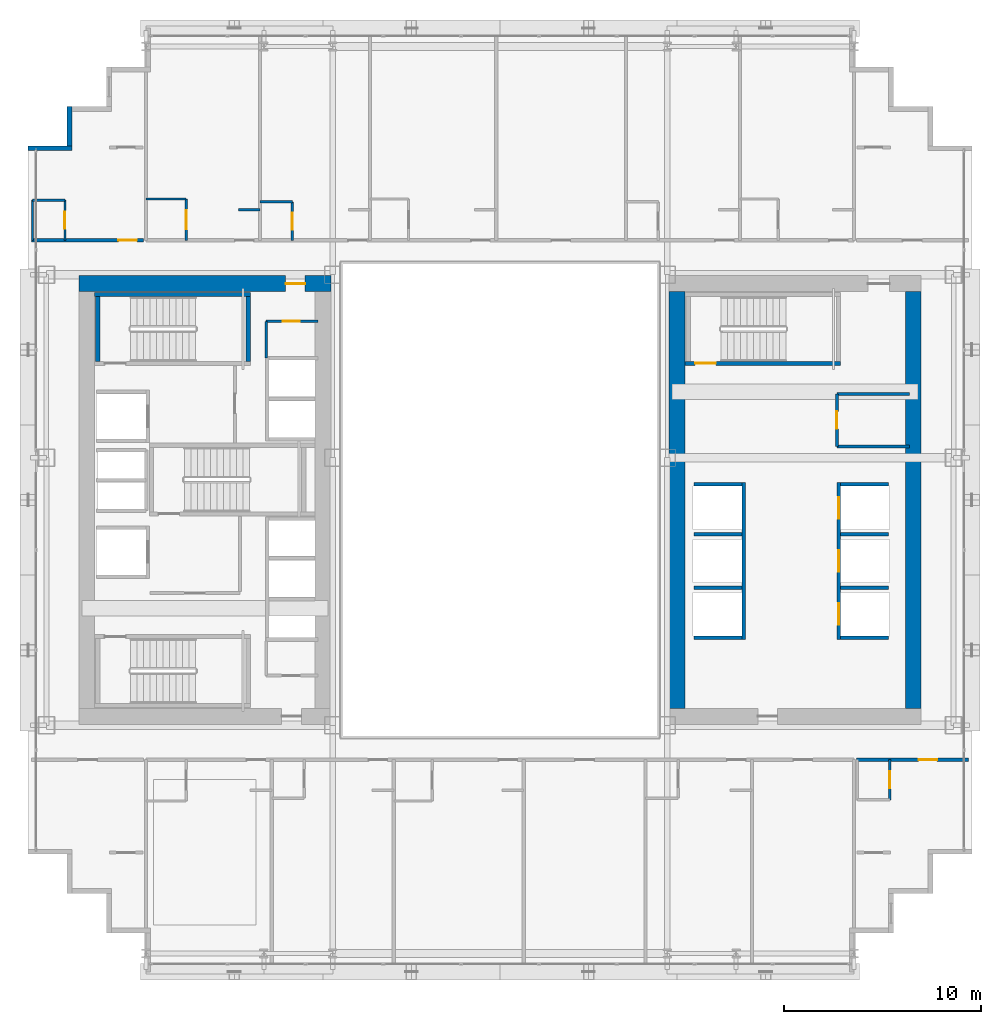
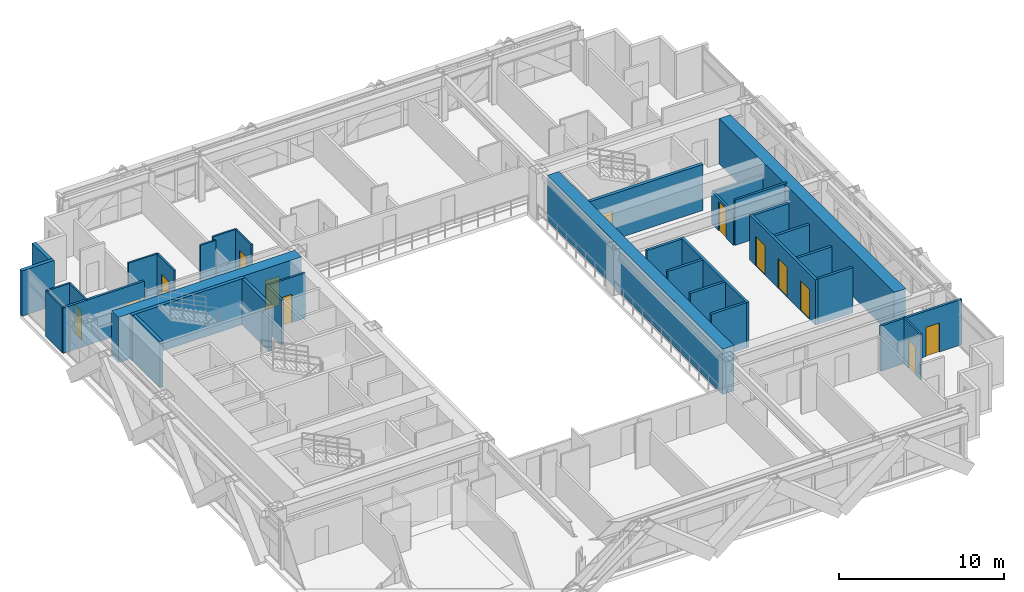
# One storey, part 29 of 35: 35 walls, 13 doors, 13 openings.
"""IFC4 building model written with IfcOpenShell, lengths in metres."""

from ifc_helpers import new_model, si_unit, direction, frame, frame_2d, origin, place, context, subcontext, project, spatial, rectangle, extrude, source, transform, mapped, material, layer, layer_set, type_object, element, fill, save


model = new_model("IFC4")

# Units and contexts
model_context = context("Model", 3, precision=1e-05, world=origin(), true_north=direction((0.0, 1.0)))
body_context = subcontext(model_context, "Body", "Model", "MODEL_VIEW")
ifc_project = project(units=[si_unit("LENGTHUNIT", "METRE"), si_unit("AREAUNIT", "SQUARE_METRE"), si_unit("VOLUMEUNIT", "CUBIC_METRE"), si_unit("PLANEANGLEUNIT", "RADIAN"), si_unit("MASSUNIT", "GRAM", prefix="KILO")], contexts=[model_context])

# Site, building, storey
site_placement = place(None, origin())
site = spatial("IfcSite", under=ifc_project, at=site_placement, CompositionType="ELEMENT")
building_placement = place(site_placement, origin())
building = spatial("IfcBuilding", under=site, at=building_placement, Name="Ocotamira Hotel", CompositionType="ELEMENT")
storey_placement = place(building_placement, frame((0.0, 0.0, 49.199951171875)))
storey = spatial("IfcBuildingStorey", under=building, at=storey_placement, Name="L11", CompositionType="ELEMENT", Elevation=49.199951171875)

# Wall, opening, door
ifc_material_1 = material(Name="Concrete C60/75", Category="concrete")
ifc_layer_1 = layer(ifc_material_1, 0.800048828125)
ifc_layer_set_1 = layer_set([ifc_layer_1], Name="Concrete C60/75")
wall_type_1 = type_object("IfcWallType", Name="WL-CORE-800", PredefinedType="SHEAR", material=ifc_layer_set_1)
wall_1_placement = place(storey_placement, frame((10.60009765625, 37.0, 0.0), z_axis=(0.0, 0.0, 1.0), x_axis=(1.0, 0.0, 0.0)))
wall_1 = element("IfcWall", 1, at=wall_1_placement, inside=storey, type_object=wall_type_1, Name="L11 Shear Core Wall WCORE-N", PredefinedType="SHEAR", context=body_context, shape_type="SweptSolid", body=[
    extrude(rectangle(XDim=12.7998046875, YDim=0.800048828125, at=frame_2d((6.39990234375, 0.0))), origin(), (0.0, 0.0, 1.0), 3.35009765625),
])
opening_1_placement = place(wall_1_placement, frame((10.5, 0.0, 0.0)))
opening_1 = element("IfcOpeningElement", 2, at=opening_1_placement, cuts=wall_1, Name="Opening D-FR2", PredefinedType="OPENING", context=body_context, shape_type="SweptSolid", body=[
    extrude(rectangle(XDim=1.0, YDim=2.14990234375, at=frame_2d((0.5, 1.074951171875))), frame((0.0, 0.41015625, 0.0), z_axis=(0.0, -1.0, 0.0), x_axis=(1.0, 0.0, 0.0)), (0.0, 0.0, 1.0), 0.820068359375),
])
ifc_material_2 = material(Name="Fire-rated acoustic timber-veneer door", Category="wood")
door_type_1 = type_object("IfcDoorType", Name="DR-FIRE-1000", OperationType="NOTDEFINED", PredefinedType="DOOR", material=ifc_material_2)
shared_shape_1 = source(origin(), body_context, "Body", "SweptSolid", [
    extrude(rectangle(XDim=1.0, YDim=2.14990234375, at=frame_2d((0.5, 1.074951171875))), frame((0.0, 0.02490234375, 0.0), z_axis=(0.0, -1.0, 0.0), x_axis=(1.0, 0.0, 0.0)), (0.0, 0.0, 1.0), 0.050048828125),
])
door_1_placement = place(opening_1_placement, origin())
door_1 = element("IfcDoor", 3, at=door_1_placement, inside=storey, type_object=door_type_1, Name="L11 Door ID-L11-WLOB-N-D [ID-L11-WLOB-N-D]", OperationType="SINGLE_SWING_RIGHT", OverallHeight=2.14990234375, OverallWidth=1.0, PredefinedType="DOOR", context=body_context, shape_type="MappedRepresentation", body=[
    mapped(shared_shape_1, transform((0.0, 0.0, 0.0), scale=1.0)),
])
fill(opening_1, door_1)

# Walls
for number, where, z_axis, x_axis, name in (
    (4, (41.0, 15.39990234375, 0.0), (0.0, 0.0, 1.0), (0.0, 1.0, 0.0), "L11 Shear Core Wall ECORE-W"),
    (5, (53.0, 15.39990234375, 0.0), (0.0, 0.0, 1.0), (0.0, 1.0, 0.0), "L11 Shear Core Wall ECORE-E"),
):
    element("IfcWall", number, at=place(storey_placement, frame(where, z_axis=z_axis, x_axis=x_axis)), inside=storey, type_object=wall_type_1, Name=name, PredefinedType="SHEAR", context=body_context, shape_type="SweptSolid", body=[
        extrude(rectangle(XDim=21.2001953125, YDim=0.800048828125, at=frame_2d((10.60009765625, 0.0))), origin(), (0.0, 0.0, 1.0), 3.35009765625),
    ])
ifc_material_3 = material(Name="Precast concrete C45/55", Category="concrete")
ifc_layer_2 = layer(ifc_material_3, 0.25)
ifc_layer_set_2 = layer_set([ifc_layer_2], Name="Precast concrete C45/55")
wall_type_2 = type_object("IfcWallType", Name="WL-EXT-SER-250", PredefinedType="SOLIDWALL", material=ifc_layer_set_2)
wall_2_placement = place(storey_placement, frame((10.125, 46.0, 0.0), z_axis=(0.0, 0.0, 1.0), x_axis=(0.0, -1.0, 0.0)))
element("IfcWall", 6, at=wall_2_placement, inside=storey, type_object=wall_type_2, Name="L11 Serrated Corner Wall 17", PredefinedType="SOLIDWALL", context=body_context, shape_type="SweptSolid", body=[
    extrude(rectangle(XDim=2.0, YDim=0.25, at=frame_2d((1.0, 0.0))), origin(), (0.0, 0.0, 1.0), 3.35009765625),
])
wall_3_placement = place(storey_placement, frame((10.25, 43.875, 0.0), z_axis=(0.0, 0.0, 1.0), x_axis=(-1.0, 0.0, 0.0)))
element("IfcWall", 7, at=wall_3_placement, inside=storey, type_object=wall_type_2, Name="L11 Serrated Corner Wall 18", PredefinedType="SOLIDWALL", context=body_context, shape_type="SweptSolid", body=[
    extrude(rectangle(XDim=2.25, YDim=0.25, at=frame_2d((1.125, 0.0))), origin(), (0.0, 0.0, 1.0), 3.35009765625),
])
ifc_material_4 = material(Name="Acoustic double-layer fire gypsum board partition", Category="gypsum")
ifc_layer_3 = layer(ifc_material_4, 0.159912109375)
ifc_layer_set_3 = layer_set([ifc_layer_3], Name="Acoustic double-layer fire gypsum board partition")
wall_type_3 = type_object("IfcWallType", Name="WL-FIRE-160", PredefinedType="PARTITIONING", material=ifc_layer_set_3)
wall_4_placement = place(storey_placement, frame((49.1201171875, 28.719970703125, 0.0), z_axis=(0.0, 0.0, 1.0), x_axis=(1.0, 0.0, 0.0)))
element("IfcWall", 8, at=wall_4_placement, inside=storey, type_object=wall_type_3, Name="L11 Interior Wall PW-L11-EC-NEC-S", PredefinedType="PARTITIONING", context=body_context, shape_type="SweptSolid", body=[
    extrude(rectangle(XDim=3.679931640625, YDim=0.159912109375, at=frame_2d((1.83984375, 0.0))), origin(), (0.0, 0.0, 1.0), 3.35009765625),
])
wall_5_placement = place(storey_placement, frame((49.1201171875, 31.3798828125, 0.0), z_axis=(0.0, 0.0, 1.0), x_axis=(1.0, 0.0, 0.0)))
element("IfcWall", 9, at=wall_5_placement, inside=storey, type_object=wall_type_3, Name="L11 Interior Wall PW-L11-EC-NEC-N", PredefinedType="PARTITIONING", context=body_context, shape_type="SweptSolid", body=[
    extrude(rectangle(XDim=3.679931640625, YDim=0.159912109375, at=frame_2d((1.83984375, 0.0))), origin(), (0.0, 0.0, 1.0), 2.360107421875),
])

# Wall, opening, door
wall_6_placement = place(storey_placement, frame((49.1201171875, 28.719970703125, 0.0), z_axis=(0.0, 0.0, 1.0), x_axis=(0.0, 1.0, 0.0)))
wall_6 = element("IfcWall", 10, at=wall_6_placement, inside=storey, type_object=wall_type_3, Name="L11 Interior Wall PW-L11-EC-NEC-W", PredefinedType="PARTITIONING", context=body_context, shape_type="SweptSolid", body=[
    extrude(rectangle(XDim=2.659912109375, YDim=0.159912109375, at=frame_2d((1.330078125, 0.0))), origin(), (0.0, 0.0, 1.0), 2.360107421875),
])
opening_2_placement = place(wall_6_placement, frame((0.89990234375, 0.0, 0.0)))
opening_2 = element("IfcOpeningElement", 11, at=opening_2_placement, cuts=wall_6, Name="Opening D-SV2", PredefinedType="OPENING", context=body_context, shape_type="SweptSolid", body=[
    extrude(rectangle(XDim=0.8798828125, YDim=2.14990234375, at=frame_2d((0.43994140625, 1.074951171875))), frame((0.0, 0.08984375, 0.0), z_axis=(0.0, -1.0, 0.0), x_axis=(1.0, 0.0, 0.0)), (0.0, 0.0, 1.0), 0.179931640625),
])
ifc_material_5 = material(Name="Fire-rated painted steel service door", Category="steel")
door_type_2 = type_object("IfcDoorType", Name="DR-SERV-880", OperationType="NOTDEFINED", PredefinedType="DOOR", material=ifc_material_5)
shared_shape_2 = source(origin(), body_context, "Body", "SweptSolid", [
    extrude(rectangle(XDim=0.8798828125, YDim=2.14990234375, at=frame_2d((0.43994140625, 1.074951171875))), frame((0.0, 0.02490234375, 0.0), z_axis=(0.0, -1.0, 0.0), x_axis=(1.0, 0.0, 0.0)), (0.0, 0.0, 1.0), 0.050048828125),
])
door_2_placement = place(opening_2_placement, origin())
door_2 = element("IfcDoor", 12, at=door_2_placement, inside=storey, type_object=door_type_2, Name="L11 Door ID-L11-EC-NEC-D [ID-L11-EC-NEC-D]", OperationType="SINGLE_SWING_LEFT", OverallHeight=2.14990234375, OverallWidth=0.8798828125, PredefinedType="DOOR", context=body_context, shape_type="MappedRepresentation", body=[
    mapped(shared_shape_2, transform((0.0, 0.0, 0.0), scale=1.0)),
])
fill(opening_2, door_2)

wall_7_placement = place(storey_placement, frame((50.1201171875, 12.800048828125, 0.0), z_axis=(0.0, 0.0, 1.0), x_axis=(1.0, 0.0, 0.0)))
wall_7 = element("IfcWall", 13, at=wall_7_placement, inside=storey, type_object=wall_type_3, Name="L11 Interior Wall PW-L11-Z1B-CSE-CW", PredefinedType="PARTITIONING", context=body_context, shape_type="SweptSolid", body=[
    extrude(rectangle(XDim=5.679931640625, YDim=0.159912109375, at=frame_2d((2.83984375, 0.0))), origin(), (0.0, 0.0, 1.0), 3.35009765625),
])
opening_3_placement = place(wall_7_placement, frame((3.14990234375, 0.0, 0.0)))
opening_3 = element("IfcOpeningElement", 14, at=opening_3_placement, cuts=wall_7, Name="Opening D-GR1", PredefinedType="OPENING", context=body_context, shape_type="SweptSolid", body=[
    extrude(rectangle(XDim=0.93994140625, YDim=2.14990234375, at=frame_2d((0.469970703125, 1.074951171875))), frame((0.0, 0.08984375, 0.0), z_axis=(0.0, -1.0, 0.0), x_axis=(1.0, 0.0, 0.0)), (0.0, 0.0, 1.0), 0.179931640625),
])
ifc_material_6 = material(Name="Solid-core walnut suite entrance fire door", Category="wood")
door_type_3 = type_object("IfcDoorType", Name="DR-GUEST-940", OperationType="NOTDEFINED", PredefinedType="DOOR", material=ifc_material_6)
shared_shape_3 = source(origin(), body_context, "Body", "SweptSolid", [
    extrude(rectangle(XDim=0.93994140625, YDim=2.14990234375, at=frame_2d((0.469970703125, 1.074951171875))), frame((0.0, 0.02490234375, 0.0), z_axis=(0.0, -1.0, 0.0), x_axis=(1.0, 0.0, 0.0)), (0.0, 0.0, 1.0), 0.050048828125),
])
door_3_placement = place(opening_3_placement, origin())
door_3 = element("IfcDoor", 15, at=door_3_placement, inside=storey, type_object=door_type_3, Name="L11 Door ID-L11-Z1B-CSE-CD [ID-L11-Z1B-CSE-CD]", OperationType="SINGLE_SWING_RIGHT", OverallHeight=2.14990234375, OverallWidth=0.93994140625, PredefinedType="DOOR", context=body_context, shape_type="MappedRepresentation", body=[
    mapped(shared_shape_3, transform((0.0, 0.0, 0.0), scale=1.0)),
])
fill(opening_3, door_3)

wall_8_placement = place(storey_placement, frame((8.199951171875, 39.199951171875, 0.0), z_axis=(0.0, 0.0, 1.0), x_axis=(1.0, 0.0, 0.0)))
wall_8 = element("IfcWall", 16, at=wall_8_placement, inside=storey, type_object=wall_type_3, Name="L11 Interior Wall PW-L11-Z1B-CNW-CW", PredefinedType="PARTITIONING", context=body_context, shape_type="SweptSolid", body=[
    extrude(rectangle(XDim=5.679931640625, YDim=0.159912109375, at=frame_2d((2.83984375, 0.0))), origin(), (0.0, 0.0, 1.0), 3.35009765625),
])
opening_4_placement = place(wall_8_placement, frame((4.39990234375, 0.0, 0.0)))
opening_4 = element("IfcOpeningElement", 17, at=opening_4_placement, cuts=wall_8, Name="Opening D-GR1", PredefinedType="OPENING", context=body_context, shape_type="SweptSolid", body=[
    extrude(rectangle(XDim=0.93994140625, YDim=2.14990234375, at=frame_2d((0.469970703125, 1.074951171875))), frame((0.0, 0.08984375, 0.0), z_axis=(0.0, -1.0, 0.0), x_axis=(1.0, 0.0, 0.0)), (0.0, 0.0, 1.0), 0.179931640625),
])
door_4_placement = place(opening_4_placement, origin())
door_4 = element("IfcDoor", 18, at=door_4_placement, inside=storey, type_object=door_type_3, Name="L11 Door ID-L11-Z1B-CNW-CD [ID-L11-Z1B-CNW-CD]", OperationType="SINGLE_SWING_RIGHT", OverallHeight=2.14990234375, OverallWidth=0.93994140625, PredefinedType="DOOR", context=body_context, shape_type="MappedRepresentation", body=[
    mapped(shared_shape_3, transform((0.0, 0.0, 0.0), scale=1.0)),
])
fill(opening_4, door_4)

ifc_material_7 = material(Name="Moisture-resistant en-suite tile and gypsum partition", Category="gypsum")
ifc_layer_4 = layer(ifc_material_7, 0.1201171875)
ifc_layer_set_4 = layer_set([ifc_layer_4], Name="Moisture-resistant en-suite tile and gypsum partition")
wall_type_4 = type_object("IfcWallType", Name="WL-PART-120", PredefinedType="PARTITIONING", material=ifc_layer_set_4)
wall_9_placement = place(storey_placement, frame((51.81005859375, 10.760009765625, 0.0), z_axis=(0.0, 0.0, 1.0), x_axis=(0.0, 1.0, 0.0)))
wall_9 = element("IfcWall", 19, at=wall_9_placement, inside=storey, type_object=wall_type_4, Name="L11 Interior Wall PW-L11-Z1B-CSE-BE", PredefinedType="PARTITIONING", context=body_context, shape_type="SweptSolid", body=[
    extrude(rectangle(XDim=2.0400390625, YDim=0.1201171875, at=frame_2d((1.02001953125, 0.0))), origin(), (0.0, 0.0, 1.0), 3.35009765625),
])
opening_5_placement = place(wall_9_placement, frame((0.590087890625, 0.0, 0.0)))
opening_5 = element("IfcOpeningElement", 20, at=opening_5_placement, cuts=wall_9, Name="Opening D-BA1", PredefinedType="OPENING", context=body_context, shape_type="SweptSolid", body=[
    extrude(rectangle(XDim=0.860107421875, YDim=2.10009765625, at=frame_2d((0.43017578125, 1.050048828125))), frame((0.0, 0.070068359375, 0.0), z_axis=(0.0, -1.0, 0.0), x_axis=(1.0, 0.0, 0.0)), (0.0, 0.0, 1.0), 0.14013671875),
])
ifc_material_8 = material(Name="Moisture-sealed en-suite timber door", Category="wood")
door_type_4 = type_object("IfcDoorType", Name="DR-BATH-860", OperationType="NOTDEFINED", PredefinedType="DOOR", material=ifc_material_8)
shared_shape_4 = source(origin(), body_context, "Body", "SweptSolid", [
    extrude(rectangle(XDim=0.860107421875, YDim=2.10009765625, at=frame_2d((0.43017578125, 1.050048828125))), frame((0.0, 0.02490234375, 0.0), z_axis=(0.0, -1.0, 0.0), x_axis=(1.0, 0.0, 0.0)), (0.0, 0.0, 1.0), 0.050048828125),
])
door_5_placement = place(opening_5_placement, origin())
door_5 = element("IfcDoor", 21, at=door_5_placement, inside=storey, type_object=door_type_4, Name="L11 Door ID-L11-Z1B-CSE-BD [ID-L11-Z1B-CSE-BD]", OperationType="SINGLE_SWING_LEFT", OverallHeight=2.10009765625, OverallWidth=0.860107421875, PredefinedType="DOOR", context=body_context, shape_type="MappedRepresentation", body=[
    mapped(shared_shape_4, transform((0.0, 0.0, 0.0), scale=1.0)),
])
fill(opening_5, door_5)

wall_10_placement = place(storey_placement, frame((9.889892578125, 39.199951171875, 0.0), z_axis=(0.0, 0.0, 1.0), x_axis=(0.0, 1.0, 0.0)))
wall_10 = element("IfcWall", 22, at=wall_10_placement, inside=storey, type_object=wall_type_4, Name="L11 Interior Wall PW-L11-Z1B-CNW-BE", PredefinedType="PARTITIONING", context=body_context, shape_type="SweptSolid", body=[
    extrude(rectangle(XDim=2.0400390625, YDim=0.1201171875, at=frame_2d((1.02001953125, 0.0))), origin(), (0.0, 0.0, 1.0), 3.35009765625),
])
opening_6_placement = place(wall_10_placement, frame((0.590087890625, 0.0, 0.0)))
opening_6 = element("IfcOpeningElement", 23, at=opening_6_placement, cuts=wall_10, Name="Opening D-BA1", PredefinedType="OPENING", context=body_context, shape_type="SweptSolid", body=[
    extrude(rectangle(XDim=0.860107421875, YDim=2.10009765625, at=frame_2d((0.43017578125, 1.050048828125))), frame((0.0, 0.070068359375, 0.0), z_axis=(0.0, -1.0, 0.0), x_axis=(1.0, 0.0, 0.0)), (0.0, 0.0, 1.0), 0.14013671875),
])
door_6_placement = place(opening_6_placement, origin())
door_6 = element("IfcDoor", 24, at=door_6_placement, inside=storey, type_object=door_type_4, Name="L11 Door ID-L11-Z1B-CNW-BD [ID-L11-Z1B-CNW-BD]", OperationType="SINGLE_SWING_LEFT", OverallHeight=2.10009765625, OverallWidth=0.860107421875, PredefinedType="DOOR", context=body_context, shape_type="MappedRepresentation", body=[
    mapped(shared_shape_4, transform((0.0, 0.0, 0.0), scale=1.0)),
])
fill(opening_6, door_6)

# Walls
wall_11_placement = place(storey_placement, frame((8.239990234375, 39.199951171875, 0.0), z_axis=(0.0, 0.0, 1.0), x_axis=(0.0, 1.0, 0.0)))
element("IfcWall", 25, at=wall_11_placement, inside=storey, type_object=wall_type_4, Name="L11 Interior Wall PW-L11-Z1B-CNW-BW", PredefinedType="PARTITIONING", context=body_context, shape_type="SweptSolid", body=[
    extrude(rectangle(XDim=2.0400390625, YDim=0.1201171875, at=frame_2d((1.02001953125, 0.0))), origin(), (0.0, 0.0, 1.0), 3.35009765625),
])
wall_12_placement = place(storey_placement, frame((8.239990234375, 41.239990234375, 0.0), z_axis=(0.0, 0.0, 1.0), x_axis=(1.0, 0.0, 0.0)))
element("IfcWall", 26, at=wall_12_placement, inside=storey, type_object=wall_type_4, Name="L11 Interior Wall PW-L11-Z1B-CNW-BH", PredefinedType="PARTITIONING", context=body_context, shape_type="SweptSolid", body=[
    extrude(rectangle(XDim=1.64990234375, YDim=0.1201171875, at=frame_2d((0.824951171875, 0.0))), origin(), (0.0, 0.0, 1.0), 3.35009765625),
])

# Wall, opening, door
wall_13_placement = place(storey_placement, frame((16.050048828125, 39.199951171875, 0.0), z_axis=(0.0, 0.0, 1.0), x_axis=(0.0, 1.0, 0.0)))
wall_13 = element("IfcWall", 27, at=wall_13_placement, inside=storey, type_object=wall_type_4, Name="L11 Interior Wall PW-L11-Z1BN-BAE1", PredefinedType="PARTITIONING", context=body_context, shape_type="SweptSolid", body=[
    extrude(rectangle(XDim=2.10009765625, YDim=0.1201171875, at=frame_2d((1.050048828125, 0.0))), origin(), (0.0, 0.0, 1.0), 3.35009765625),
])
opening_7_placement = place(wall_13_placement, frame((0.570068359375, 0.0, 0.0)))
opening_7 = element("IfcOpeningElement", 28, at=opening_7_placement, cuts=wall_13, Name="Opening D-IN1", PredefinedType="OPENING", context=body_context, shape_type="SweptSolid", body=[
    extrude(rectangle(XDim=0.9599609375, YDim=2.14990234375, at=frame_2d((0.47998046875, 1.074951171875))), frame((0.0, 0.070068359375, 0.0), z_axis=(0.0, -1.0, 0.0), x_axis=(1.0, 0.0, 0.0)), (0.0, 0.0, 1.0), 0.14013671875),
])
ifc_material_9 = material(Name="Accessible walnut interior room door", Category="wood")
door_type_5 = type_object("IfcDoorType", Name="DR-INT-960", OperationType="NOTDEFINED", PredefinedType="DOOR", material=ifc_material_9)
shared_shape_5 = source(origin(), body_context, "Body", "SweptSolid", [
    extrude(rectangle(XDim=0.9599609375, YDim=2.14990234375, at=frame_2d((0.47998046875, 1.074951171875))), frame((0.0, 0.02490234375, 0.0), z_axis=(0.0, -1.0, 0.0), x_axis=(1.0, 0.0, 0.0)), (0.0, 0.0, 1.0), 0.050048828125),
])
door_7_placement = place(opening_7_placement, origin())
door_7 = element("IfcDoor", 29, at=door_7_placement, inside=storey, type_object=door_type_5, Name="L11 Door ID-L11-Z1BN-BAD1 [ID-L11-Z1BN-BAD1]", OperationType="SINGLE_SWING_RIGHT", OverallHeight=2.14990234375, OverallWidth=0.9599609375, PredefinedType="DOOR", context=body_context, shape_type="MappedRepresentation", body=[
    mapped(shared_shape_5, transform((0.0, 0.0, 0.0), scale=1.0)),
])
fill(opening_7, door_7)

# Walls
wall_14_placement = place(storey_placement, frame((14.0, 41.300048828125, 0.0), z_axis=(0.0, 0.0, 1.0), x_axis=(1.0, 0.0, 0.0)))
element("IfcWall", 30, at=wall_14_placement, inside=storey, type_object=wall_type_4, Name="L11 Interior Wall PW-L11-Z1BN-BAN1", PredefinedType="PARTITIONING", context=body_context, shape_type="SweptSolid", body=[
    extrude(rectangle(XDim=2.050048828125, YDim=0.1201171875, at=frame_2d((1.02490234375, 0.0))), origin(), (0.0, 0.0, 1.0), 3.35009765625),
])
wall_15_placement = place(storey_placement, frame((18.699951171875, 40.75, 0.0), z_axis=(0.0, 0.0, 1.0), x_axis=(1.0, 0.0, 0.0)))
element("IfcWall", 31, at=wall_15_placement, inside=storey, type_object=wall_type_4, Name="L11 Interior Wall PW-L11-Z1BN-DRN1", PredefinedType="PARTITIONING", context=body_context, shape_type="SweptSolid", body=[
    extrude(rectangle(XDim=1.10009765625, YDim=0.1201171875, at=frame_2d((0.550048828125, 0.0))), origin(), (0.0, 0.0, 1.0), 3.35009765625),
])

# Wall, opening, door
wall_16_placement = place(storey_placement, frame((21.449951171875, 39.199951171875, 0.0), z_axis=(0.0, 0.0, 1.0), x_axis=(0.0, 1.0, 0.0)))
wall_16 = element("IfcWall", 32, at=wall_16_placement, inside=storey, type_object=wall_type_4, Name="L11 Interior Wall PW-L11-Z1BN-BAE2", PredefinedType="PARTITIONING", context=body_context, shape_type="SweptSolid", body=[
    extrude(rectangle(XDim=1.949951171875, YDim=0.1201171875, at=frame_2d((0.97509765625, 0.0))), origin(), (0.0, 0.0, 1.0), 3.35009765625),
])
opening_8_placement = place(wall_16_placement, frame((0.544921875, 0.0, 0.0)))
opening_8 = element("IfcOpeningElement", 33, at=opening_8_placement, cuts=wall_16, Name="Opening D-BA1", PredefinedType="OPENING", context=body_context, shape_type="SweptSolid", body=[
    extrude(rectangle(XDim=0.860107421875, YDim=2.10009765625, at=frame_2d((0.43017578125, 1.050048828125))), frame((0.0, 0.070068359375, 0.0), z_axis=(0.0, -1.0, 0.0), x_axis=(1.0, 0.0, 0.0)), (0.0, 0.0, 1.0), 0.14013671875),
])
door_8_placement = place(opening_8_placement, origin())
door_8 = element("IfcDoor", 34, at=door_8_placement, inside=storey, type_object=door_type_4, Name="L11 Door ID-L11-Z1BN-BAD2 [ID-L11-Z1BN-BAD2]", OperationType="SINGLE_SWING_LEFT", OverallHeight=2.10009765625, OverallWidth=0.860107421875, PredefinedType="DOOR", context=body_context, shape_type="MappedRepresentation", body=[
    mapped(shared_shape_4, transform((0.0, 0.0, 0.0), scale=1.0)),
])
fill(opening_8, door_8)

# Walls
wall_17_placement = place(storey_placement, frame((19.800048828125, 41.14990234375, 0.0), z_axis=(0.0, 0.0, 1.0), x_axis=(1.0, 0.0, 0.0)))
element("IfcWall", 35, at=wall_17_placement, inside=storey, type_object=wall_type_4, Name="L11 Interior Wall PW-L11-Z1BN-BAN2", PredefinedType="PARTITIONING", context=body_context, shape_type="SweptSolid", body=[
    extrude(rectangle(XDim=1.64990234375, YDim=0.1201171875, at=frame_2d((0.824951171875, 0.0))), origin(), (0.0, 0.0, 1.0), 3.35009765625),
])
ifc_material_10 = material(Name="Acoustic hospitality gypsum board partition", Category="gypsum")
ifc_layer_5 = layer(ifc_material_10, 0.14208984375)
ifc_layer_set_5 = layer_set([ifc_layer_5], Name="Acoustic hospitality gypsum board partition")
wall_type_5 = type_object("IfcWallType", Name="WL-PART-142", PredefinedType="PARTITIONING", material=ifc_layer_set_5)
wall_18_placement = place(storey_placement, frame((20.1201171875, 33.219970703125, 0.0), z_axis=(0.0, 0.0, 1.0), x_axis=(0.0, 1.0, 0.0)))
element("IfcWall", 36, at=wall_18_placement, inside=storey, type_object=wall_type_5, Name="L11 Interior Wall PW-L11-WC-NE-W2", PredefinedType="PARTITIONING", context=body_context, shape_type="SweptSolid", body=[
    extrude(rectangle(XDim=1.860107421875, YDim=0.14208984375, at=frame_2d((0.93017578125, 0.0))), origin(), (0.0, 0.0, 1.0), 3.35009765625),
])

# Wall, opening, door
wall_19_placement = place(storey_placement, frame((20.1201171875, 35.080078125, 0.0), z_axis=(0.0, 0.0, 1.0), x_axis=(1.0, 0.0, 0.0)))
wall_19 = element("IfcWall", 37, at=wall_19_placement, inside=storey, type_object=wall_type_5, Name="L11 Interior Wall PW-L11-WC-NE-N2", PredefinedType="PARTITIONING", context=body_context, shape_type="SweptSolid", body=[
    extrude(rectangle(XDim=2.6298828125, YDim=0.14208984375, at=frame_2d((1.31494140625, 0.0))), origin(), (0.0, 0.0, 1.0), 3.35009765625),
])
opening_9_placement = place(wall_19_placement, frame((0.85009765625, 0.0, 0.0)))
opening_9 = element("IfcOpeningElement", 38, at=opening_9_placement, cuts=wall_19, Name="Opening D-SV1", PredefinedType="OPENING", context=body_context, shape_type="SweptSolid", body=[
    extrude(rectangle(XDim=0.840087890625, YDim=2.10009765625, at=frame_2d((0.419921875, 1.050048828125))), frame((0.0, 0.0810546875, 0.0), z_axis=(0.0, -1.0, 0.0), x_axis=(1.0, 0.0, 0.0)), (0.0, 0.0, 1.0), 0.162109375),
])
door_type_6 = type_object("IfcDoorType", Name="DR-SERV-840", OperationType="NOTDEFINED", PredefinedType="DOOR", material=ifc_material_5)
shared_shape_6 = source(origin(), body_context, "Body", "SweptSolid", [
    extrude(rectangle(XDim=0.840087890625, YDim=2.10009765625, at=frame_2d((0.419921875, 1.050048828125))), frame((0.0, 0.02490234375, 0.0), z_axis=(0.0, -1.0, 0.0), x_axis=(1.0, 0.0, 0.0)), (0.0, 0.0, 1.0), 0.050048828125),
])
door_9_placement = place(opening_9_placement, origin())
door_9 = element("IfcDoor", 39, at=door_9_placement, inside=storey, type_object=door_type_6, Name="L11 Door ID-L11-WC-NE-D2 [ID-L11-WC-NE-D2]", OperationType="SINGLE_SWING_RIGHT", OverallHeight=2.10009765625, OverallWidth=0.840087890625, PredefinedType="DOOR", context=body_context, shape_type="MappedRepresentation", body=[
    mapped(shared_shape_6, transform((0.0, 0.0, 0.0), scale=1.0)),
])
fill(opening_9, door_9)

# Wall, openings, doors
ifc_material_11 = material(Name="Fire-rated gypsum shaftliner board assembly", Category="gypsum")
ifc_layer_6 = layer(ifc_material_11, 0.179931640625)
ifc_layer_set_6 = layer_set([ifc_layer_6], Name="Fire-rated gypsum shaftliner board assembly")
wall_type_6 = type_object("IfcWallType", Name="WL-SHAFT-180", PredefinedType="SOLIDWALL", material=ifc_layer_set_6)
wall_20_placement = place(storey_placement, frame((49.2099609375, 18.919921875, 0.0), z_axis=(0.0, 0.0, 1.0), x_axis=(0.0, 1.0, 0.0)))
wall_20 = element("IfcWall", 40, at=wall_20_placement, inside=storey, type_object=wall_type_6, Name="L11 Interior Wall PW-L11-LFW-BANK-low-F", PredefinedType="SOLIDWALL", context=body_context, shape_type="SweptSolid", body=[
    extrude(rectangle(XDim=7.9599609375, YDim=0.179931640625, at=frame_2d((3.97998046875, 0.0))), origin(), (0.0, 0.0, 1.0), 3.35009765625),
])
opening_10_placement = place(wall_20_placement, frame((0.72998046875, 0.0, 0.0)))
opening_10 = element("IfcOpeningElement", 41, at=opening_10_placement, cuts=wall_20, Name="Opening LD-LF-P1", PredefinedType="OPENING", context=body_context, shape_type="SweptSolid", body=[
    extrude(rectangle(XDim=1.10009765625, YDim=2.199951171875, at=frame_2d((0.550048828125, 1.10009765625))), frame((0.0, 0.10009765625, 0.0), z_axis=(0.0, -1.0, 0.0), x_axis=(1.0, 0.0, 0.0)), (0.0, 0.0, 1.0), 0.199951171875),
])
opening_11_placement = place(wall_20_placement, frame((3.429931640625, 0.0, 0.0)))
opening_11 = element("IfcOpeningElement", 42, at=opening_11_placement, cuts=wall_20, Name="Opening LD-LF-P2", PredefinedType="OPENING", context=body_context, shape_type="SweptSolid", body=[
    extrude(rectangle(XDim=1.10009765625, YDim=2.199951171875, at=frame_2d((0.550048828125, 1.10009765625))), frame((0.0, 0.10009765625, 0.0), z_axis=(0.0, -1.0, 0.0), x_axis=(1.0, 0.0, 0.0)), (0.0, 0.0, 1.0), 0.199951171875),
])
opening_12_placement = place(wall_20_placement, frame((6.1298828125, 0.0, 0.0)))
opening_12 = element("IfcOpeningElement", 43, at=opening_12_placement, cuts=wall_20, Name="Opening LD-LF-P3", PredefinedType="OPENING", context=body_context, shape_type="SweptSolid", body=[
    extrude(rectangle(XDim=1.10009765625, YDim=2.199951171875, at=frame_2d((0.550048828125, 1.10009765625))), frame((0.0, 0.10009765625, 0.0), z_axis=(0.0, -1.0, 0.0), x_axis=(1.0, 0.0, 0.0)), (0.0, 0.0, 1.0), 0.199951171875),
])
ifc_material_12 = material(Name="Brushed pale-metal stainless elevator landing door", Category="steel")
door_type_7 = type_object("IfcDoorType", Name="DR-LIFT-1100", OperationType="NOTDEFINED", PredefinedType="DOOR", material=ifc_material_12)
shared_shape_7 = source(origin(), body_context, "Body", "SweptSolid", [
    extrude(rectangle(XDim=1.10009765625, YDim=2.199951171875, at=frame_2d((0.550048828125, 1.10009765625))), frame((0.0, 0.02490234375, 0.0), z_axis=(0.0, -1.0, 0.0), x_axis=(1.0, 0.0, 0.0)), (0.0, 0.0, 1.0), 0.050048828125),
])
door_10_placement = place(opening_10_placement, origin())
door_10 = element("IfcDoor", 44, at=door_10_placement, inside=storey, type_object=door_type_7, Name="L11 Landing Door LD-LF-P1 [ID-L11-LD-LF-P1]", OperationType="DOUBLE_DOOR_SLIDING", OverallHeight=2.199951171875, OverallWidth=1.10009765625, PredefinedType="DOOR", context=body_context, shape_type="MappedRepresentation", body=[
    mapped(shared_shape_7, transform((0.0, 0.0, 0.0), scale=1.0)),
])
fill(opening_10, door_10)
door_11_placement = place(opening_11_placement, origin())
door_11 = element("IfcDoor", 45, at=door_11_placement, inside=storey, type_object=door_type_7, Name="L11 Landing Door LD-LF-P2 [ID-L11-LD-LF-P2]", OperationType="DOUBLE_DOOR_SLIDING", OverallHeight=2.199951171875, OverallWidth=1.10009765625, PredefinedType="DOOR", context=body_context, shape_type="MappedRepresentation", body=[
    mapped(shared_shape_7, transform((0.0, 0.0, 0.0), scale=1.0)),
])
fill(opening_11, door_11)
door_12_placement = place(opening_12_placement, origin())
door_12 = element("IfcDoor", 46, at=door_12_placement, inside=storey, type_object=door_type_7, Name="L11 Landing Door LD-LF-P3 [ID-L11-LD-LF-P3]", OperationType="DOUBLE_DOOR_SLIDING", OverallHeight=2.199951171875, OverallWidth=1.10009765625, PredefinedType="DOOR", context=body_context, shape_type="MappedRepresentation", body=[
    mapped(shared_shape_7, transform((0.0, 0.0, 0.0), scale=1.0)),
])
fill(opening_12, door_12)

# Walls
for number, where, z_axis, x_axis, name in (
    (47, (49.300048828125, 19.010009765625, 0.0), (0.0, 0.0, 1.0), (1.0, 0.0, 0.0), "L11 Interior Wall PW-L11-LFW-BANK-low-S"),
    (48, (49.300048828125, 26.7900390625, 0.0), (0.0, 0.0, 1.0), (1.0, 0.0, 0.0), "L11 Interior Wall PW-L11-LFW-BANK-low-N"),
    (49, (49.300048828125, 21.550048828125, 0.0), (0.0, 0.0, 1.0), (1.0, 0.0, 0.0), "L11 Interior Wall PW-L11-LFW-DIV-LF-P1"),
    (50, (49.300048828125, 24.25, 0.0), (0.0, 0.0, 1.0), (1.0, 0.0, 0.0), "L11 Interior Wall PW-L11-LFW-DIV-LF-P2"),
):
    element("IfcWall", number, at=place(storey_placement, frame(where, z_axis=z_axis, x_axis=x_axis)), inside=storey, type_object=wall_type_6, Name=name, PredefinedType="SOLIDWALL", context=body_context, shape_type="SweptSolid", body=[
        extrude(rectangle(XDim=2.449951171875, YDim=0.179931640625, at=frame_2d((1.22509765625, 0.0))), origin(), (0.0, 0.0, 1.0), 3.35009765625),
    ])
wall_21_placement = place(storey_placement, frame((44.389892578125, 18.919921875, 0.0), z_axis=(0.0, 0.0, 1.0), x_axis=(0.0, 1.0, 0.0)))
element("IfcWall", 51, at=wall_21_placement, inside=storey, type_object=wall_type_6, Name="L11 Interior Wall PW-L11-LFW-BANK-mid-F", PredefinedType="SOLIDWALL", context=body_context, shape_type="SweptSolid", body=[
    extrude(rectangle(XDim=7.9599609375, YDim=0.179931640625, at=frame_2d((3.97998046875, 0.0))), origin(), (0.0, 0.0, 1.0), 3.35009765625),
])
for number, where, z_axis, x_axis, name in (
    (52, (41.85009765625, 19.010009765625, 0.0), (0.0, 0.0, 1.0), (1.0, 0.0, 0.0), "L11 Interior Wall PW-L11-LFW-BANK-mid-S"),
    (53, (41.85009765625, 26.7900390625, 0.0), (0.0, 0.0, 1.0), (1.0, 0.0, 0.0), "L11 Interior Wall PW-L11-LFW-BANK-mid-N"),
    (54, (41.85009765625, 21.550048828125, 0.0), (0.0, 0.0, 1.0), (1.0, 0.0, 0.0), "L11 Interior Wall PW-L11-LFW-DIV-LF-P4"),
    (55, (41.85009765625, 24.25, 0.0), (0.0, 0.0, 1.0), (1.0, 0.0, 0.0), "L11 Interior Wall PW-L11-LFW-DIV-LF-P5"),
):
    element("IfcWall", number, at=place(storey_placement, frame(where, z_axis=z_axis, x_axis=x_axis)), inside=storey, type_object=wall_type_6, Name=name, PredefinedType="SOLIDWALL", context=body_context, shape_type="SweptSolid", body=[
        extrude(rectangle(XDim=2.449951171875, YDim=0.179931640625, at=frame_2d((1.22509765625, 0.0))), origin(), (0.0, 0.0, 1.0), 3.35009765625),
    ])
ifc_material_13 = material(Name="Concrete C50/60", Category="concrete")
ifc_layer_7 = layer(ifc_material_13, 0.219970703125)
ifc_layer_set_7 = layer_set([ifc_layer_7], Name="Concrete C50/60")
wall_type_7 = type_object("IfcWallType", Name="WL-STAIR-220", PredefinedType="SHEAR", material=ifc_layer_set_7)
wall_22_placement = place(storey_placement, frame((11.39990234375, 36.43994140625, 0.0), z_axis=(0.0, 0.0, 1.0), x_axis=(1.0, 0.0, 0.0)))
element("IfcWall", 56, at=wall_22_placement, inside=storey, type_object=wall_type_7, Name="L11 Stair Shaft Structural Wall ST-2-N", PredefinedType="SHEAR", context=body_context, shape_type="SweptSolid", body=[
    extrude(rectangle(XDim=7.91015625, YDim=0.219970703125, at=frame_2d((3.955078125, 0.0))), origin(), (0.0, 0.0, 1.0), 3.400146484375),
])
for number, where, z_axis, x_axis, name in (
    (57, (11.56005859375, 33.050048828125, 0.0), (0.0, 0.0, 1.0), (0.0, 1.0, 0.0), "L11 Stair Shaft Structural Wall ST-2-W"),
    (58, (19.199951171875, 33.050048828125, 0.0), (0.0, 0.0, 1.0), (0.0, 1.0, 0.0), "L11 Stair Shaft Structural Wall ST-2-E"),
):
    element("IfcWall", number, at=place(storey_placement, frame(where, z_axis=z_axis, x_axis=x_axis)), inside=storey, type_object=wall_type_7, Name=name, PredefinedType="SHEAR", context=body_context, shape_type="SweptSolid", body=[
        extrude(rectangle(XDim=3.280029296875, YDim=0.219970703125, at=frame_2d((1.64013671875, 0.0))), origin(), (0.0, 0.0, 1.0), 3.400146484375),
    ])

# Wall, opening, door
wall_23_placement = place(storey_placement, frame((41.39990234375, 32.93994140625, 0.0), z_axis=(0.0, 0.0, 1.0), x_axis=(1.0, 0.0, 0.0)))
wall_23 = element("IfcWall", 59, at=wall_23_placement, inside=storey, type_object=wall_type_7, Name="L11 Stair Shaft Structural Wall ST-4-S", PredefinedType="SHEAR", context=body_context, shape_type="SweptSolid", body=[
    extrude(rectangle(XDim=7.91015625, YDim=0.219970703125, at=frame_2d((3.955078125, 0.0))), origin(), (0.0, 0.0, 1.0), 3.400146484375),
])
opening_13_placement = place(wall_23_placement, frame((0.52001953125, 0.0, 0.0)))
opening_13 = element("IfcOpeningElement", 60, at=opening_13_placement, cuts=wall_23, Name="Opening D-ST2", PredefinedType="OPENING", context=body_context, shape_type="SweptSolid", body=[
    extrude(rectangle(XDim=1.050048828125, YDim=2.14990234375, at=frame_2d((0.52490234375, 1.074951171875))), frame((0.0, 0.1201171875, 0.0), z_axis=(0.0, -1.0, 0.0), x_axis=(1.0, 0.0, 0.0)), (0.0, 0.0, 1.0), 0.239990234375),
])
ifc_material_14 = material(Name="Insulated painted hollow-metal fire exit door", Category="steel")
door_type_8 = type_object("IfcDoorType", Name="DR-STAIR-1050", OperationType="NOTDEFINED", PredefinedType="DOOR", material=ifc_material_14)
shared_shape_8 = source(origin(), body_context, "Body", "SweptSolid", [
    extrude(rectangle(XDim=1.050048828125, YDim=2.14990234375, at=frame_2d((0.52490234375, 1.074951171875))), frame((0.0, 0.02490234375, 0.0), z_axis=(0.0, -1.0, 0.0), x_axis=(1.0, 0.0, 0.0)), (0.0, 0.0, 1.0), 0.050048828125),
])
door_13_placement = place(opening_13_placement, origin())
door_13 = element("IfcDoor", 61, at=door_13_placement, inside=storey, type_object=door_type_8, Name="L11 Door ID-L11-STD-ST-4 [ID-L11-STD-ST-4]", OperationType="SINGLE_SWING_LEFT", OverallHeight=2.14990234375, OverallWidth=1.050048828125, PredefinedType="DOOR", context=body_context, shape_type="MappedRepresentation", body=[
    mapped(shared_shape_8, transform((0.0, 0.0, 0.0), scale=1.0)),
])
fill(opening_13, door_13)

save(model, "model.ifc")
